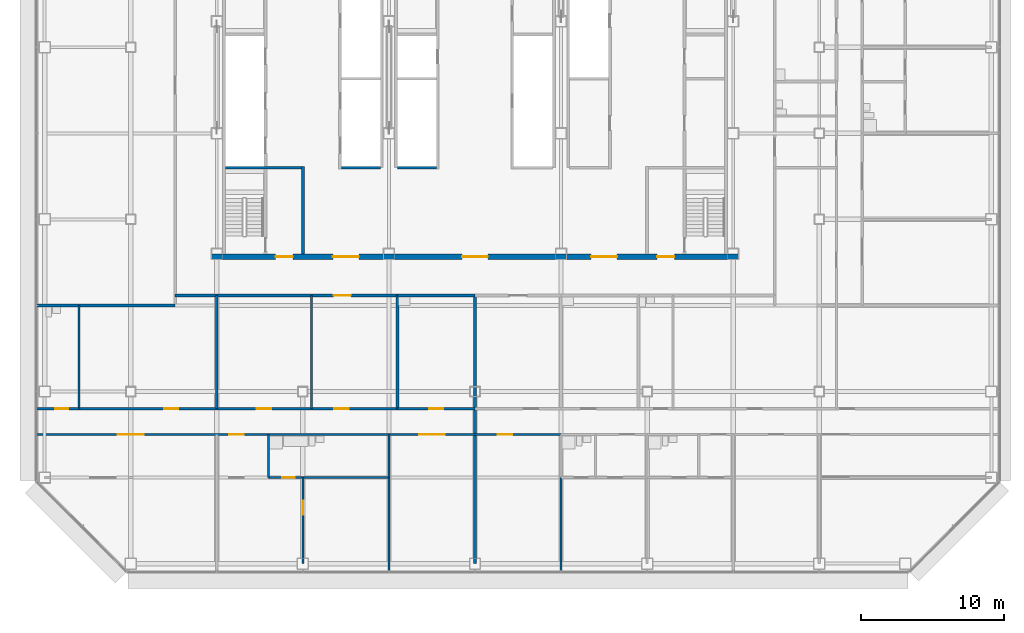
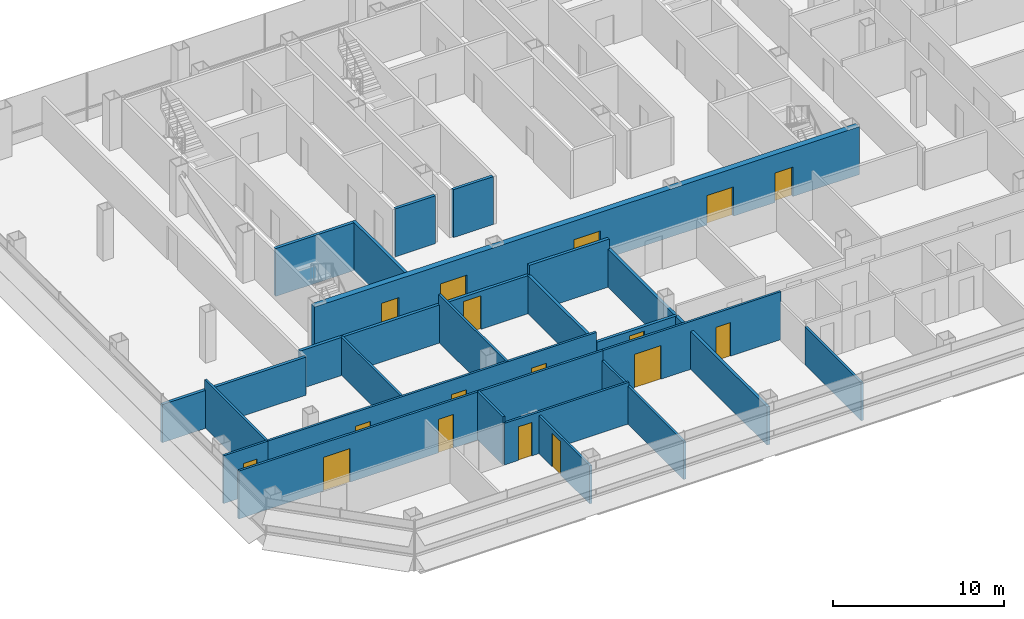
# One storey, part 19 of 25: 26 walls, 17 doors, 17 openings.
"""IFC4 building model written with IfcOpenShell, lengths in metres."""

from ifc_helpers import new_model, si_unit, direction, frame, frame_2d, origin, place, context, subcontext, project, spatial, rectangle, extrude, material, layer, layer_set, type_object, element, fill, save


model = new_model("IFC4")

# Units and contexts
model_context = context("Model", 3, precision=1e-05, world=origin(), true_north=direction((0.0, 1.0)))
body_context = subcontext(model_context, "Body", "Model", "MODEL_VIEW")
ifc_project = project(units=[si_unit("LENGTHUNIT", "METRE"), si_unit("AREAUNIT", "SQUARE_METRE"), si_unit("VOLUMEUNIT", "CUBIC_METRE"), si_unit("PLANEANGLEUNIT", "RADIAN"), si_unit("MASSUNIT", "GRAM", prefix="KILO")], contexts=[model_context])

# Site, building, storey
site_placement = place(None, origin())
site = spatial("IfcSite", under=ifc_project, at=site_placement, CompositionType="ELEMENT")
building_placement = place(site_placement, origin())
building = spatial("IfcBuilding", under=site, at=building_placement, Name="Sorahane Residences", CompositionType="ELEMENT")
storey_placement = place(building_placement, frame((0.0, 0.0, 119.60009765625)))
storey = spatial("IfcBuildingStorey", under=building, at=storey_placement, Name="L26", CompositionType="ELEMENT", Elevation=119.60009765625)

# Wall
ifc_material_1 = material(Name="Concrete blockwork C20 wall", Category="masonry")
ifc_layer_1 = layer(ifc_material_1, 0.199951171875)
ifc_layer_set_1 = layer_set([ifc_layer_1], Name="Corridor wall 200 EI 120")
wall_type_1 = type_object("IfcWallType", Name="Corridor wall 200 EI 120", PredefinedType="SOLIDWALL", material=ifc_layer_set_1)
wall_1_placement = place(storey_placement, frame((-6.60009765625, 18.0, 0.0), z_axis=(0.0, 0.0, 1.0), x_axis=(1.0, 0.0, 0.0)))
element("IfcWall", 1, at=wall_1_placement, inside=storey, type_object=wall_type_1, Name="L26 corridor wall", PredefinedType="SOLIDWALL", context=body_context, shape_type="SweptSolid", body=[
    extrude(rectangle(XDim=9.7001953125, YDim=0.199951171875, at=frame_2d((4.85009765625, 0.0))), origin(), (0.0, 0.0, 1.0), 2.719970703125),
])

# Wall, opening, door
wall_2_placement = place(storey_placement, frame((3.10009765625, 18.699951171875, 0.0), z_axis=(0.0, 0.0, 1.0), x_axis=(1.0, 0.0, 0.0)))
wall_2 = element("IfcWall", 2, at=wall_2_placement, inside=storey, type_object=wall_type_1, Name="L26 corridor wall", PredefinedType="SOLIDWALL", context=body_context, shape_type="SweptSolid", body=[
    extrude(rectangle(XDim=15.5, YDim=0.199951171875, at=frame_2d((7.75, 0.0))), origin(), (0.0, 0.0, 1.0), 2.719970703125),
])
opening_1_placement = place(wall_2_placement, frame((11.0400390625, 0.0, 0.0)))
opening_1 = element("IfcOpeningElement", 3, at=opening_1_placement, cuts=wall_2, Name="Opening L26-40", PredefinedType="OPENING", context=body_context, shape_type="SweptSolid", body=[
    extrude(rectangle(XDim=1.199951171875, YDim=2.39990234375, at=frame_2d((0.60009765625, 1.199951171875))), frame((0.0, 0.10986328125, 0.0), z_axis=(0.0, -1.0, 0.0), x_axis=(1.0, 0.0, 0.0)), (0.0, 0.0, 1.0), 0.219970703125),
])
ifc_material_2 = material(Name="Timber veneered fire door", Category="wood")
door_type_1 = type_object("IfcDoorType", Name="Flat entrance door 1200x2400 FD60", OperationType="NOTDEFINED", PredefinedType="DOOR", material=ifc_material_2)
door_1_placement = place(opening_1_placement, frame((1.199951171875, 0.0, 0.0), z_axis=(0.0, 0.0, 1.0), x_axis=(-1.0, 0.0, 0.0)))
door_1 = element("IfcDoor", 4, at=door_1_placement, inside=storey, type_object=door_type_1, Name="Flat entrance door L26-40", OperationType="SINGLE_SWING_RIGHT", OverallHeight=2.39990234375, OverallWidth=1.199951171875, PredefinedType="DOOR", context=body_context, shape_type="SweptSolid", body=[
    extrude(rectangle(XDim=1.199951171875, YDim=2.39990234375, at=frame_2d((0.60009765625, 1.199951171875))), frame((0.0, 0.02490234375, 0.0), z_axis=(0.0, -1.0, 0.0), x_axis=(1.0, 0.0, 0.0)), (0.0, 0.0, 1.0), 0.050048828125),
])
fill(opening_1, door_1)

# Walls
ifc_material_3 = material(Name="Concrete C30", Category="concrete")
ifc_layer_2 = layer(ifc_material_3, 0.199951171875)
ifc_layer_set_2 = layer_set([ifc_layer_2], Name="Front room wall 200 EI 120")
wall_type_2 = type_object("IfcWallType", Name="Front room wall 200 EI 120", PredefinedType="PARTITIONING", material=ifc_layer_set_2)
wall_3_placement = place(storey_placement, frame((12.0, 21.60009765625, 0.0), z_axis=(0.0, 0.0, 1.0), x_axis=(0.0, 1.0, 0.0)))
element("IfcWall", 5, at=wall_3_placement, inside=storey, type_object=wall_type_2, Name="L26 front room wall", PredefinedType="PARTITIONING", context=body_context, shape_type="SweptSolid", body=[
    extrude(rectangle(XDim=6.099853515625, YDim=0.199951171875, at=frame_2d((3.0498046875, 0.0))), origin(), (0.0, 0.0, 1.0), 3.419921875),
])
ifc_material_4 = material(Name="Concrete blockwork C20 wall", Category="masonry")
ifc_layer_3 = layer(ifc_material_4, 0.199951171875)
ifc_layer_set_3 = layer_set([ifc_layer_3], Name="Kitchen wall 200 EI 180")
wall_type_3 = type_object("IfcWallType", Name="Kitchen wall 200 EI 180", PredefinedType="SOLIDWALL", material=ifc_layer_set_3)
for number, where, z_axis, x_axis, name in (
    (6, (18.60009765625, 10.800048828125, 0.0), (0.0, 0.0, 1.0), (0.0, 1.0, 0.0), "L26 kitchen wall"),
    (7, (24.0, 10.800048828125, 0.0), (0.0, 0.0, 1.0), (0.0, 1.0, 0.0), "L26 kitchen wall"),
):
    element("IfcWall", number, at=place(storey_placement, frame(where, z_axis=z_axis, x_axis=x_axis)), inside=storey, type_object=wall_type_3, Name=name, PredefinedType="SOLIDWALL", context=body_context, shape_type="SweptSolid", body=[
        extrude(rectangle(XDim=7.89990234375, YDim=0.199951171875, at=frame_2d((3.949951171875, 0.0))), origin(), (0.0, 0.0, 1.0), 2.719970703125),
    ])

# Wall, opening, door
wall_4_placement = place(storey_placement, frame((18.60009765625, 10.800048828125, 0.0), z_axis=(0.0, 0.0, 1.0), x_axis=(1.0, 0.0, 0.0)))
wall_4 = element("IfcWall", 8, at=wall_4_placement, inside=storey, type_object=wall_type_3, Name="L26 kitchen wall", PredefinedType="SOLIDWALL", context=body_context, shape_type="SweptSolid", body=[
    extrude(rectangle(XDim=5.39990234375, YDim=0.199951171875, at=frame_2d((2.699951171875, 0.0))), origin(), (0.0, 0.0, 1.0), 2.719970703125),
])
opening_2_placement = place(wall_4_placement, frame((2.199951171875, 0.0, 0.0)))
opening_2 = element("IfcOpeningElement", 9, at=opening_2_placement, cuts=wall_4, Name="Opening L26-05", PredefinedType="OPENING", context=body_context, shape_type="SweptSolid", body=[
    extrude(rectangle(XDim=1.0, YDim=2.39990234375, at=frame_2d((0.5, 1.199951171875))), frame((0.0, 0.10986328125, 0.0), z_axis=(0.0, -1.0, 0.0), x_axis=(1.0, 0.0, 0.0)), (0.0, 0.0, 1.0), 0.219970703125),
])
ifc_material_5 = material(Name="Steel", Category="steel")
door_type_2 = type_object("IfcDoorType", Name="Kitchen door 1000x2400 FD120", OperationType="NOTDEFINED", PredefinedType="DOOR", material=ifc_material_5)
door_2_placement = place(opening_2_placement, origin())
door_2 = element("IfcDoor", 10, at=door_2_placement, inside=storey, type_object=door_type_2, Name="Kitchen door L26-05", OperationType="SINGLE_SWING_LEFT", OverallHeight=2.39990234375, OverallWidth=1.0, PredefinedType="DOOR", context=body_context, shape_type="SweptSolid", body=[
    extrude(rectangle(XDim=1.0, YDim=2.39990234375, at=frame_2d((0.5, 1.199951171875))), frame((0.0, 0.02490234375, 0.0), z_axis=(0.0, -1.0, 0.0), x_axis=(1.0, 0.0, 0.0)), (0.0, 0.0, 1.0), 0.050048828125),
])
fill(opening_2, door_2)

# Walls
wall_5_placement = place(storey_placement, frame((18.60009765625, 18.699951171875, 0.0), z_axis=(0.0, 0.0, 1.0), x_axis=(1.0, 0.0, 0.0)))
element("IfcWall", 11, at=wall_5_placement, inside=storey, type_object=wall_type_3, Name="L26 kitchen wall", PredefinedType="SOLIDWALL", context=body_context, shape_type="SweptSolid", body=[
    extrude(rectangle(XDim=5.39990234375, YDim=0.199951171875, at=frame_2d((2.699951171875, 0.0))), origin(), (0.0, 0.0, 1.0), 3.419921875),
])
ifc_material_6 = material(Name="Concrete C30", Category="concrete")
ifc_layer_4 = layer(ifc_material_6, 0.199951171875)
ifc_layer_set_4 = layer_set([ifc_layer_4], Name="Lift shaft wall 200 EI 120")
wall_type_4 = type_object("IfcWallType", Name="Lift shaft wall 200 EI 120", PredefinedType="SOLIDWALL", material=ifc_layer_set_4)
for number, where, z_axis, x_axis, name in (
    (12, (14.699951171875, 27.60009765625, 0.0), (0.0, 0.0, 1.0), (1.0, 0.0, 0.0), "L26 lift shaft wall"),
    (13, (18.60009765625, 27.60009765625, 0.0), (0.0, 0.0, 1.0), (1.0, 0.0, 0.0), "L26 lift shaft wall"),
):
    element("IfcWall", number, at=place(storey_placement, frame(where, z_axis=z_axis, x_axis=x_axis)), inside=storey, type_object=wall_type_4, Name=name, PredefinedType="SOLIDWALL", context=body_context, shape_type="SweptSolid", body=[
        extrude(rectangle(XDim=2.699951171875, YDim=0.199951171875, at=frame_2d((1.35009765625, 0.0))), origin(), (0.0, 0.0, 1.0), 3.419921875),
    ])

# Wall, opening, door
ifc_material_7 = material(Name="Gypsum board partition on steel studs", Category="steel")
ifc_layer_5 = layer(ifc_material_7, 0.14990234375)
ifc_layer_set_5 = layer_set([ifc_layer_5], Name="Partition 150 EI 90")
wall_type_5 = type_object("IfcWallType", Name="Partition 150 EI 90", PredefinedType="PARTITIONING", material=ifc_layer_set_5)
wall_6_placement = place(storey_placement, frame((12.0, 0.0, 0.0), z_axis=(0.0, 0.0, 1.0), x_axis=(0.0, 1.0, 0.0)))
wall_6 = element("IfcWall", 14, at=wall_6_placement, inside=storey, type_object=wall_type_5, Name="L26 partition", PredefinedType="PARTITIONING", context=body_context, shape_type="SweptSolid", body=[
    extrude(rectangle(XDim=6.0, YDim=0.14990234375, at=frame_2d((3.0, 0.0))), origin(), (0.0, 0.0, 1.0), 2.719970703125),
])
opening_3_placement = place(wall_6_placement, frame((3.39990234375, 0.0, 0.0)))
opening_3 = element("IfcOpeningElement", 15, at=opening_3_placement, cuts=wall_6, Name="Opening L26-11", PredefinedType="OPENING", context=body_context, shape_type="SweptSolid", body=[
    extrude(rectangle(XDim=1.0, YDim=2.39990234375, at=frame_2d((0.5, 1.199951171875))), frame((0.0, 0.0849609375, 0.0), z_axis=(0.0, -1.0, 0.0), x_axis=(1.0, 0.0, 0.0)), (0.0, 0.0, 1.0), 0.169921875),
])
ifc_material_8 = material(Name="Timber veneered fire door", Category="wood")
door_type_3 = type_object("IfcDoorType", Name="Room door 1000x2400 FD30", OperationType="NOTDEFINED", PredefinedType="DOOR", material=ifc_material_8)
door_3_placement = place(opening_3_placement, frame((1.0, 0.0, 0.0), z_axis=(0.0, 0.0, 1.0), x_axis=(-1.0, 0.0, 0.0)))
door_3 = element("IfcDoor", 16, at=door_3_placement, inside=storey, type_object=door_type_3, Name="Room door L26-11", OperationType="SINGLE_SWING_RIGHT", OverallHeight=2.39990234375, OverallWidth=1.0, PredefinedType="DOOR", context=body_context, shape_type="SweptSolid", body=[
    extrude(rectangle(XDim=1.0, YDim=2.39990234375, at=frame_2d((0.5, 1.199951171875))), frame((0.0, 0.02490234375, 0.0), z_axis=(0.0, -1.0, 0.0), x_axis=(1.0, 0.0, 0.0)), (0.0, 0.0, 1.0), 0.050048828125),
])
fill(opening_3, door_3)

# Walls
wall_7_placement = place(storey_placement, frame((12.60009765625, 10.800048828125, 0.0), z_axis=(0.0, 0.0, 1.0), x_axis=(0.0, 1.0, 0.0)))
element("IfcWall", 17, at=wall_7_placement, inside=storey, type_object=wall_type_5, Name="L26 partition", PredefinedType="PARTITIONING", context=body_context, shape_type="SweptSolid", body=[
    extrude(rectangle(XDim=7.89990234375, YDim=0.14990234375, at=frame_2d((3.949951171875, 0.0))), origin(), (0.0, 0.0, 1.0), 3.419921875),
])
for number, where, z_axis, x_axis, name in (
    (18, (18.0, -0.60009765625, 0.0), (0.0, 0.0, 1.0), (0.0, 1.0, 0.0), "L26 partition"),
    (19, (30.0, -0.60009765625, 0.0), (0.0, 0.0, 1.0), (0.0, 1.0, 0.0), "L26 partition"),
):
    element("IfcWall", number, at=place(storey_placement, frame(where, z_axis=z_axis, x_axis=x_axis)), inside=storey, type_object=wall_type_5, Name=name, PredefinedType="PARTITIONING", context=body_context, shape_type="SweptSolid", body=[
        extrude(rectangle(XDim=6.60009765625, YDim=0.14990234375, at=frame_2d((3.300048828125, 0.0))), origin(), (0.0, 0.0, 1.0), 2.719970703125),
    ])
wall_8_placement = place(storey_placement, frame((6.0, 10.800048828125, 0.0), z_axis=(0.0, 0.0, 1.0), x_axis=(0.0, 1.0, 0.0)))
element("IfcWall", 20, at=wall_8_placement, inside=storey, type_object=wall_type_5, Name="L26 partition", PredefinedType="PARTITIONING", context=body_context, shape_type="SweptSolid", body=[
    extrude(rectangle(XDim=7.89990234375, YDim=0.14990234375, at=frame_2d((3.949951171875, 0.0))), origin(), (0.0, 0.0, 1.0), 2.719970703125),
])

# Wall, openings, doors
wall_9_placement = place(storey_placement, frame((-3.60009765625, 10.800048828125, 0.0), z_axis=(0.0, 0.0, 1.0), x_axis=(1.0, 0.0, 0.0)))
wall_9 = element("IfcWall", 21, at=wall_9_placement, inside=storey, type_object=wall_type_5, Name="L26 partition", PredefinedType="PARTITIONING", context=body_context, shape_type="SweptSolid", body=[
    extrude(rectangle(XDim=22.2001953125, YDim=0.14990234375, at=frame_2d((11.10009765625, 0.0))), origin(), (0.0, 0.0, 1.0), 3.419921875),
])
opening_4_placement = place(wall_9_placement, frame((17.800048828125, 0.0, 0.0)))
opening_4 = element("IfcOpeningElement", 22, at=opening_4_placement, cuts=wall_9, Name="Opening L26-01", PredefinedType="OPENING", context=body_context, shape_type="SweptSolid", body=[
    extrude(rectangle(XDim=1.0, YDim=2.39990234375, at=frame_2d((0.5, 1.199951171875))), frame((0.0, 0.0849609375, 0.0), z_axis=(0.0, -1.0, 0.0), x_axis=(1.0, 0.0, 0.0)), (0.0, 0.0, 1.0), 0.169921875),
])
opening_5_placement = place(wall_9_placement, frame((5.919921875, 0.0, 0.0)))
opening_5 = element("IfcOpeningElement", 23, at=opening_5_placement, cuts=wall_9, Name="Opening L26-03", PredefinedType="OPENING", context=body_context, shape_type="SweptSolid", body=[
    extrude(rectangle(XDim=1.0, YDim=2.39990234375, at=frame_2d((0.5, 1.199951171875))), frame((0.0, 0.0849609375, 0.0), z_axis=(0.0, -1.0, 0.0), x_axis=(1.0, 0.0, 0.0)), (0.0, 0.0, 1.0), 0.169921875),
])
opening_6_placement = place(wall_9_placement, frame((12.39990234375, 0.0, 0.0)))
opening_6 = element("IfcOpeningElement", 24, at=opening_6_placement, cuts=wall_9, Name="Opening L26-04", PredefinedType="OPENING", context=body_context, shape_type="SweptSolid", body=[
    extrude(rectangle(XDim=1.0, YDim=2.39990234375, at=frame_2d((0.5, 1.199951171875))), frame((0.0, 0.0849609375, 0.0), z_axis=(0.0, -1.0, 0.0), x_axis=(1.0, 0.0, 0.0)), (0.0, 0.0, 1.0), 0.169921875),
])
door_4_placement = place(opening_4_placement, frame((1.0, 0.0, 0.0), z_axis=(0.0, 0.0, 1.0), x_axis=(-1.0, 0.0, 0.0)))
door_4 = element("IfcDoor", 25, at=door_4_placement, inside=storey, type_object=door_type_3, Name="Room door L26-01", OperationType="SINGLE_SWING_LEFT", OverallHeight=2.39990234375, OverallWidth=1.0, PredefinedType="DOOR", context=body_context, shape_type="SweptSolid", body=[
    extrude(rectangle(XDim=1.0, YDim=2.39990234375, at=frame_2d((0.5, 1.199951171875))), frame((0.0, 0.02490234375, 0.0), z_axis=(0.0, -1.0, 0.0), x_axis=(1.0, 0.0, 0.0)), (0.0, 0.0, 1.0), 0.050048828125),
])
fill(opening_4, door_4)
door_5_placement = place(opening_5_placement, origin())
door_5 = element("IfcDoor", 26, at=door_5_placement, inside=storey, type_object=door_type_3, Name="Room door L26-03", OperationType="SINGLE_SWING_LEFT", OverallHeight=2.39990234375, OverallWidth=1.0, PredefinedType="DOOR", context=body_context, shape_type="SweptSolid", body=[
    extrude(rectangle(XDim=1.0, YDim=2.39990234375, at=frame_2d((0.5, 1.199951171875))), frame((0.0, 0.02490234375, 0.0), z_axis=(0.0, -1.0, 0.0), x_axis=(1.0, 0.0, 0.0)), (0.0, 0.0, 1.0), 0.050048828125),
])
fill(opening_5, door_5)
door_6_placement = place(opening_6_placement, origin())
door_6 = element("IfcDoor", 27, at=door_6_placement, inside=storey, type_object=door_type_3, Name="Room door L26-04", OperationType="SINGLE_SWING_LEFT", OverallHeight=2.39990234375, OverallWidth=1.0, PredefinedType="DOOR", context=body_context, shape_type="SweptSolid", body=[
    extrude(rectangle(XDim=1.0, YDim=2.39990234375, at=frame_2d((0.5, 1.199951171875))), frame((0.0, 0.02490234375, 0.0), z_axis=(0.0, -1.0, 0.0), x_axis=(1.0, 0.0, 0.0)), (0.0, 0.0, 1.0), 0.050048828125),
])
fill(opening_6, door_6)

wall_10_placement = place(storey_placement, frame((-6.60009765625, 9.0, 0.0), z_axis=(0.0, 0.0, 1.0), x_axis=(1.0, 0.0, 0.0)))
wall_10 = element("IfcWall", 28, at=wall_10_placement, inside=storey, type_object=wall_type_5, Name="L26 partition", PredefinedType="PARTITIONING", context=body_context, shape_type="SweptSolid", body=[
    extrude(rectangle(XDim=16.2001953125, YDim=0.14990234375, at=frame_2d((8.10009765625, 0.0))), origin(), (0.0, 0.0, 1.0), 3.419921875),
])
opening_7_placement = place(wall_10_placement, frame((5.699951171875, 0.0, 0.0)))
opening_7 = element("IfcOpeningElement", 29, at=opening_7_placement, cuts=wall_10, Name="Opening L26-06", PredefinedType="OPENING", context=body_context, shape_type="SweptSolid", body=[
    extrude(rectangle(XDim=1.800048828125, YDim=2.39990234375, at=frame_2d((0.89990234375, 1.199951171875))), frame((0.0, 0.0849609375, 0.0), z_axis=(0.0, -1.0, 0.0), x_axis=(1.0, 0.0, 0.0)), (0.0, 0.0, 1.0), 0.169921875),
])
opening_8_placement = place(wall_10_placement, frame((13.47998046875, 0.0, 0.0)))
opening_8 = element("IfcOpeningElement", 30, at=opening_8_placement, cuts=wall_10, Name="Opening L26-07", PredefinedType="OPENING", context=body_context, shape_type="SweptSolid", body=[
    extrude(rectangle(XDim=1.0, YDim=2.39990234375, at=frame_2d((0.5, 1.199951171875))), frame((0.0, 0.0849609375, 0.0), z_axis=(0.0, -1.0, 0.0), x_axis=(1.0, 0.0, 0.0)), (0.0, 0.0, 1.0), 0.169921875),
])
ifc_material_9 = material(Name="Timber veneered fire door", Category="wood")
door_type_4 = type_object("IfcDoorType", Name="Double door 1800x2400 FD30", OperationType="NOTDEFINED", PredefinedType="DOOR", material=ifc_material_9)
door_7_placement = place(opening_7_placement, frame((1.800048828125, 0.0, 0.0), z_axis=(0.0, 0.0, 1.0), x_axis=(-1.0, 0.0, 0.0)))
door_7 = element("IfcDoor", 31, at=door_7_placement, inside=storey, type_object=door_type_4, Name="Double door L26-06", OperationType="SINGLE_SWING_LEFT", OverallHeight=2.39990234375, OverallWidth=1.800048828125, PredefinedType="DOOR", context=body_context, shape_type="SweptSolid", body=[
    extrude(rectangle(XDim=1.800048828125, YDim=2.39990234375, at=frame_2d((0.89990234375, 1.199951171875))), frame((0.0, 0.02490234375, 0.0), z_axis=(0.0, -1.0, 0.0), x_axis=(1.0, 0.0, 0.0)), (0.0, 0.0, 1.0), 0.050048828125),
])
fill(opening_7, door_7)
door_8_placement = place(opening_8_placement, frame((1.0, 0.0, 0.0), z_axis=(0.0, 0.0, 1.0), x_axis=(-1.0, 0.0, 0.0)))
door_8 = element("IfcDoor", 32, at=door_8_placement, inside=storey, type_object=door_type_3, Name="Room door L26-07", OperationType="SINGLE_SWING_RIGHT", OverallHeight=2.39990234375, OverallWidth=1.0, PredefinedType="DOOR", context=body_context, shape_type="SweptSolid", body=[
    extrude(rectangle(XDim=1.0, YDim=2.39990234375, at=frame_2d((0.5, 1.199951171875))), frame((0.0, 0.02490234375, 0.0), z_axis=(0.0, -1.0, 0.0), x_axis=(1.0, 0.0, 0.0)), (0.0, 0.0, 1.0), 0.050048828125),
])
fill(opening_8, door_8)

wall_11_placement = place(storey_placement, frame((18.0, 9.0, 0.0), z_axis=(0.0, 0.0, 1.0), x_axis=(1.0, 0.0, 0.0)))
wall_11 = element("IfcWall", 33, at=wall_11_placement, inside=storey, type_object=wall_type_5, Name="L26 partition", PredefinedType="PARTITIONING", context=body_context, shape_type="SweptSolid", body=[
    extrude(rectangle(XDim=12.0, YDim=0.14990234375, at=frame_2d((6.0, 0.0))), origin(), (0.0, 0.0, 1.0), 3.419921875),
])
opening_9_placement = place(wall_11_placement, frame((2.10009765625, 0.0, 0.0)))
opening_9 = element("IfcOpeningElement", 34, at=opening_9_placement, cuts=wall_11, Name="Opening L26-08", PredefinedType="OPENING", context=body_context, shape_type="SweptSolid", body=[
    extrude(rectangle(XDim=1.800048828125, YDim=2.39990234375, at=frame_2d((0.89990234375, 1.199951171875))), frame((0.0, 0.0849609375, 0.0), z_axis=(0.0, -1.0, 0.0), x_axis=(1.0, 0.0, 0.0)), (0.0, 0.0, 1.0), 0.169921875),
])
opening_10_placement = place(wall_11_placement, frame((7.60009765625, 0.0, 0.0)))
opening_10 = element("IfcOpeningElement", 35, at=opening_10_placement, cuts=wall_11, Name="Opening L26-18", PredefinedType="OPENING", context=body_context, shape_type="SweptSolid", body=[
    extrude(rectangle(XDim=1.0, YDim=2.39990234375, at=frame_2d((0.5, 1.199951171875))), frame((0.0, 0.0849609375, 0.0), z_axis=(0.0, -1.0, 0.0), x_axis=(1.0, 0.0, 0.0)), (0.0, 0.0, 1.0), 0.169921875),
])
door_9_placement = place(opening_9_placement, frame((1.800048828125, 0.0, 0.0), z_axis=(0.0, 0.0, 1.0), x_axis=(-1.0, 0.0, 0.0)))
door_9 = element("IfcDoor", 36, at=door_9_placement, inside=storey, type_object=door_type_4, Name="Double door L26-08", OperationType="SINGLE_SWING_RIGHT", OverallHeight=2.39990234375, OverallWidth=1.800048828125, PredefinedType="DOOR", context=body_context, shape_type="SweptSolid", body=[
    extrude(rectangle(XDim=1.800048828125, YDim=2.39990234375, at=frame_2d((0.89990234375, 1.199951171875))), frame((0.0, 0.02490234375, 0.0), z_axis=(0.0, -1.0, 0.0), x_axis=(1.0, 0.0, 0.0)), (0.0, 0.0, 1.0), 0.050048828125),
])
fill(opening_9, door_9)
door_10_placement = place(opening_10_placement, frame((1.0, 0.0, 0.0), z_axis=(0.0, 0.0, 1.0), x_axis=(-1.0, 0.0, 0.0)))
door_10 = element("IfcDoor", 37, at=door_10_placement, inside=storey, type_object=door_type_3, Name="Room door L26-18", OperationType="SINGLE_SWING_RIGHT", OverallHeight=2.39990234375, OverallWidth=1.0, PredefinedType="DOOR", context=body_context, shape_type="SweptSolid", body=[
    extrude(rectangle(XDim=1.0, YDim=2.39990234375, at=frame_2d((0.5, 1.199951171875))), frame((0.0, 0.02490234375, 0.0), z_axis=(0.0, -1.0, 0.0), x_axis=(1.0, 0.0, 0.0)), (0.0, 0.0, 1.0), 0.050048828125),
])
fill(opening_10, door_10)

# Walls
ifc_material_10 = material(Name="Concrete blockwork C20 wall", Category="masonry")
ifc_layer_6 = layer(ifc_material_10, 0.199951171875)
ifc_layer_set_6 = layer_set([ifc_layer_6], Name="Party wall 200 EI 120")
wall_type_6 = type_object("IfcWallType", Name="Party wall 200 EI 120", PredefinedType="SOLIDWALL", material=ifc_layer_set_6)
wall_12_placement = place(storey_placement, frame((24.0, 0.0, 0.0), z_axis=(0.0, 0.0, 1.0), x_axis=(0.0, 1.0, 0.0)))
element("IfcWall", 38, at=wall_12_placement, inside=storey, type_object=wall_type_6, Name="L26 party wall", PredefinedType="SOLIDWALL", context=body_context, shape_type="SweptSolid", body=[
    extrude(rectangle(XDim=10.800048828125, YDim=0.199951171875, at=frame_2d((5.39990234375, 0.0))), origin(), (0.0, 0.0, 1.0), 2.719970703125),
])
ifc_material_11 = material(Name="Concrete C30", Category="concrete")
ifc_layer_7 = layer(ifc_material_11, 0.199951171875)
ifc_layer_set_7 = layer_set([ifc_layer_7], Name="Stair enclosure wall 200 EI 120")
wall_type_7 = type_object("IfcWallType", Name="Stair enclosure wall 200 EI 120", PredefinedType="SOLIDWALL", material=ifc_layer_set_7)
wall_13_placement = place(storey_placement, frame((6.60009765625, 27.60009765625, 0.0), z_axis=(0.0, 0.0, 1.0), x_axis=(1.0, 0.0, 0.0)))
element("IfcWall", 39, at=wall_13_placement, inside=storey, type_object=wall_type_7, Name="L26 stair enclosure wall", PredefinedType="SOLIDWALL", context=body_context, shape_type="SweptSolid", body=[
    extrude(rectangle(XDim=5.2998046875, YDim=0.199951171875, at=frame_2d((2.64990234375, 0.0))), origin(), (0.0, 0.0, 1.0), 3.419921875),
])

# Wall, openings, doors
ifc_material_12 = material(Name="Concrete C30", Category="concrete")
ifc_layer_8 = layer(ifc_material_12, 0.39990234375)
ifc_layer_set_8 = layer_set([ifc_layer_8], Name="Waiting hall wall 400 EI 120")
wall_type_8 = type_object("IfcWallType", Name="Waiting hall wall 400 EI 120", PredefinedType="SOLIDWALL", material=ifc_layer_set_8)
wall_14_placement = place(storey_placement, frame((5.60009765625, 21.39990234375, 0.0), z_axis=(0.0, 0.0, 1.0), x_axis=(1.0, 0.0, 0.0)))
wall_14 = element("IfcWall", 40, at=wall_14_placement, inside=storey, type_object=wall_type_8, Name="L26 waiting hall wall", PredefinedType="SOLIDWALL", context=body_context, shape_type="SweptSolid", body=[
    extrude(rectangle(XDim=36.7998046875, YDim=0.39990234375, at=frame_2d((18.39990234375, 0.0))), origin(), (0.0, 0.0, 1.0), 3.419921875),
])
opening_11_placement = place(wall_14_placement, frame((8.5, 0.0, 0.0)))
opening_11 = element("IfcOpeningElement", 41, at=opening_11_placement, cuts=wall_14, Name="Opening L26-C01", PredefinedType="OPENING", context=body_context, shape_type="SweptSolid", body=[
    extrude(rectangle(XDim=1.800048828125, YDim=2.10009765625, at=frame_2d((0.89990234375, 1.050048828125))), frame((0.0, 0.2099609375, 0.0), z_axis=(0.0, -1.0, 0.0), x_axis=(1.0, 0.0, 0.0)), (0.0, 0.0, 1.0), 0.419921875),
])
opening_12_placement = place(wall_14_placement, frame((17.5, 0.0, 0.0)))
opening_12 = element("IfcOpeningElement", 42, at=opening_12_placement, cuts=wall_14, Name="Opening L26-C02", PredefinedType="OPENING", context=body_context, shape_type="SweptSolid", body=[
    extrude(rectangle(XDim=1.800048828125, YDim=2.10009765625, at=frame_2d((0.89990234375, 1.050048828125))), frame((0.0, 0.2099609375, 0.0), z_axis=(0.0, -1.0, 0.0), x_axis=(1.0, 0.0, 0.0)), (0.0, 0.0, 1.0), 0.419921875),
])
opening_13_placement = place(wall_14_placement, frame((26.5, 0.0, 0.0)))
opening_13 = element("IfcOpeningElement", 43, at=opening_13_placement, cuts=wall_14, Name="Opening L26-C03", PredefinedType="OPENING", context=body_context, shape_type="SweptSolid", body=[
    extrude(rectangle(XDim=1.800048828125, YDim=2.10009765625, at=frame_2d((0.89990234375, 1.050048828125))), frame((0.0, 0.2099609375, 0.0), z_axis=(0.0, -1.0, 0.0), x_axis=(1.0, 0.0, 0.0)), (0.0, 0.0, 1.0), 0.419921875),
])
opening_14_placement = place(wall_14_placement, frame((4.5, 0.0, 0.0)))
opening_14 = element("IfcOpeningElement", 44, at=opening_14_placement, cuts=wall_14, Name="Opening L26-C04", PredefinedType="OPENING", context=body_context, shape_type="SweptSolid", body=[
    extrude(rectangle(XDim=1.199951171875, YDim=2.10009765625, at=frame_2d((0.60009765625, 1.050048828125))), frame((0.0, 0.2099609375, 0.0), z_axis=(0.0, -1.0, 0.0), x_axis=(1.0, 0.0, 0.0)), (0.0, 0.0, 1.0), 0.419921875),
])
opening_15_placement = place(wall_14_placement, frame((31.10009765625, 0.0, 0.0)))
opening_15 = element("IfcOpeningElement", 45, at=opening_15_placement, cuts=wall_14, Name="Opening L26-C05", PredefinedType="OPENING", context=body_context, shape_type="SweptSolid", body=[
    extrude(rectangle(XDim=1.199951171875, YDim=2.10009765625, at=frame_2d((0.60009765625, 1.050048828125))), frame((0.0, 0.2099609375, 0.0), z_axis=(0.0, -1.0, 0.0), x_axis=(1.0, 0.0, 0.0)), (0.0, 0.0, 1.0), 0.419921875),
])
ifc_material_13 = material(Name="Steel", Category="steel")
door_type_5 = type_object("IfcDoorType", Name="Stair front room door 1200x2100 FD120", OperationType="NOTDEFINED", PredefinedType="DOOR", material=ifc_material_13)
door_11_placement = place(opening_14_placement, frame((1.199951171875, 0.0, 0.0), z_axis=(0.0, 0.0, 1.0), x_axis=(-1.0, 0.0, 0.0)))
door_11 = element("IfcDoor", 46, at=door_11_placement, inside=storey, type_object=door_type_5, Name="Stair front room door Stair S4 front room L26", OperationType="SINGLE_SWING_LEFT", OverallHeight=2.10009765625, OverallWidth=1.199951171875, PredefinedType="DOOR", context=body_context, shape_type="SweptSolid", body=[
    extrude(rectangle(XDim=1.199951171875, YDim=2.10009765625, at=frame_2d((0.60009765625, 1.050048828125))), frame((0.0, 0.02490234375, 0.0), z_axis=(0.0, -1.0, 0.0), x_axis=(1.0, 0.0, 0.0)), (0.0, 0.0, 1.0), 0.050048828125),
])
fill(opening_14, door_11)
door_12_placement = place(opening_15_placement, frame((1.199951171875, 0.0, 0.0), z_axis=(0.0, 0.0, 1.0), x_axis=(-1.0, 0.0, 0.0)))
door_12 = element("IfcDoor", 47, at=door_12_placement, inside=storey, type_object=door_type_5, Name="Stair front room door Stair S5 front room L26", OperationType="SINGLE_SWING_LEFT", OverallHeight=2.10009765625, OverallWidth=1.199951171875, PredefinedType="DOOR", context=body_context, shape_type="SweptSolid", body=[
    extrude(rectangle(XDim=1.199951171875, YDim=2.10009765625, at=frame_2d((0.60009765625, 1.050048828125))), frame((0.0, 0.02490234375, 0.0), z_axis=(0.0, -1.0, 0.0), x_axis=(1.0, 0.0, 0.0)), (0.0, 0.0, 1.0), 0.050048828125),
])
fill(opening_15, door_12)
ifc_material_14 = material(Name="Steel", Category="steel")
door_type_6 = type_object("IfcDoorType", Name="Waiting hall door 1800x2100 FD60", OperationType="NOTDEFINED", PredefinedType="DOOR", material=ifc_material_14)
door_13_placement = place(opening_11_placement, frame((1.800048828125, 0.0, 0.0), z_axis=(0.0, 0.0, 1.0), x_axis=(-1.0, 0.0, 0.0)))
door_13 = element("IfcDoor", 48, at=door_13_placement, inside=storey, type_object=door_type_6, Name="Waiting hall door Residents' waiting hall L26", OperationType="SINGLE_SWING_LEFT", OverallHeight=2.10009765625, OverallWidth=1.800048828125, PredefinedType="DOOR", context=body_context, shape_type="SweptSolid", body=[
    extrude(rectangle(XDim=1.800048828125, YDim=2.10009765625, at=frame_2d((0.89990234375, 1.050048828125))), frame((0.0, 0.02490234375, 0.0), z_axis=(0.0, -1.0, 0.0), x_axis=(1.0, 0.0, 0.0)), (0.0, 0.0, 1.0), 0.050048828125),
])
fill(opening_11, door_13)
door_14_placement = place(opening_12_placement, frame((1.800048828125, 0.0, 0.0), z_axis=(0.0, 0.0, 1.0), x_axis=(-1.0, 0.0, 0.0)))
door_14 = element("IfcDoor", 49, at=door_14_placement, inside=storey, type_object=door_type_6, Name="Waiting hall door Residents' waiting hall L26", OperationType="SINGLE_SWING_LEFT", OverallHeight=2.10009765625, OverallWidth=1.800048828125, PredefinedType="DOOR", context=body_context, shape_type="SweptSolid", body=[
    extrude(rectangle(XDim=1.800048828125, YDim=2.10009765625, at=frame_2d((0.89990234375, 1.050048828125))), frame((0.0, 0.02490234375, 0.0), z_axis=(0.0, -1.0, 0.0), x_axis=(1.0, 0.0, 0.0)), (0.0, 0.0, 1.0), 0.050048828125),
])
fill(opening_12, door_14)
door_15_placement = place(opening_13_placement, frame((1.800048828125, 0.0, 0.0), z_axis=(0.0, 0.0, 1.0), x_axis=(-1.0, 0.0, 0.0)))
door_15 = element("IfcDoor", 50, at=door_15_placement, inside=storey, type_object=door_type_6, Name="Waiting hall door Residents' waiting hall L26", OperationType="SINGLE_SWING_LEFT", OverallHeight=2.10009765625, OverallWidth=1.800048828125, PredefinedType="DOOR", context=body_context, shape_type="SweptSolid", body=[
    extrude(rectangle(XDim=1.800048828125, YDim=2.10009765625, at=frame_2d((0.89990234375, 1.050048828125))), frame((0.0, 0.02490234375, 0.0), z_axis=(0.0, -1.0, 0.0), x_axis=(1.0, 0.0, 0.0)), (0.0, 0.0, 1.0), 0.050048828125),
])
fill(opening_13, door_15)

# Walls
ifc_material_15 = material(Name="Gypsum board partition on steel studs", Category="steel")
ifc_layer_9 = layer(ifc_material_15, 0.14990234375)
ifc_layer_set_9 = layer_set([ifc_layer_9], Name="Wet wall 150 EI 90")
wall_type_9 = type_object("IfcWallType", Name="Wet wall 150 EI 90", PredefinedType="PARTITIONING", material=ifc_layer_set_9)
wall_15_placement = place(storey_placement, frame((-3.60009765625, 10.800048828125, 0.0), z_axis=(0.0, 0.0, 1.0), x_axis=(0.0, 1.0, 0.0)))
element("IfcWall", 51, at=wall_15_placement, inside=storey, type_object=wall_type_9, Name="L26 wet wall", PredefinedType="PARTITIONING", context=body_context, shape_type="SweptSolid", body=[
    extrude(rectangle(XDim=7.199951171875, YDim=0.14990234375, at=frame_2d((3.60009765625, 0.0))), origin(), (0.0, 0.0, 1.0), 3.419921875),
])
wall_16_placement = place(storey_placement, frame((18.0, 6.0, 0.0), z_axis=(0.0, 0.0, 1.0), x_axis=(0.0, 1.0, 0.0)))
element("IfcWall", 52, at=wall_16_placement, inside=storey, type_object=wall_type_9, Name="L26 wet wall", PredefinedType="PARTITIONING", context=body_context, shape_type="SweptSolid", body=[
    extrude(rectangle(XDim=3.0, YDim=0.14990234375, at=frame_2d((1.5, 0.0))), origin(), (0.0, 0.0, 1.0), 2.719970703125),
])
wall_17_placement = place(storey_placement, frame((9.60009765625, 6.0, 0.0), z_axis=(0.0, 0.0, 1.0), x_axis=(0.0, 1.0, 0.0)))
element("IfcWall", 53, at=wall_17_placement, inside=storey, type_object=wall_type_9, Name="L26 wet wall", PredefinedType="PARTITIONING", context=body_context, shape_type="SweptSolid", body=[
    extrude(rectangle(XDim=3.0, YDim=0.14990234375, at=frame_2d((1.5, 0.0))), origin(), (0.0, 0.0, 1.0), 3.419921875),
])

# Wall, opening, door
wall_18_placement = place(storey_placement, frame((-6.60009765625, 10.800048828125, 0.0), z_axis=(0.0, 0.0, 1.0), x_axis=(1.0, 0.0, 0.0)))
wall_18 = element("IfcWall", 54, at=wall_18_placement, inside=storey, type_object=wall_type_9, Name="L26 wet wall", PredefinedType="PARTITIONING", context=body_context, shape_type="SweptSolid", body=[
    extrude(rectangle(XDim=3.0, YDim=0.14990234375, at=frame_2d((1.5, 0.0))), origin(), (0.0, 0.0, 1.0), 3.419921875),
])
opening_16_placement = place(wall_18_placement, frame((1.35009765625, 0.0, 0.0)))
opening_16 = element("IfcOpeningElement", 55, at=opening_16_placement, cuts=wall_18, Name="Opening L26-02", PredefinedType="OPENING", context=body_context, shape_type="SweptSolid", body=[
    extrude(rectangle(XDim=0.89990234375, YDim=2.39990234375, at=frame_2d((0.449951171875, 1.199951171875))), frame((0.0, 0.0849609375, 0.0), z_axis=(0.0, -1.0, 0.0), x_axis=(1.0, 0.0, 0.0)), (0.0, 0.0, 1.0), 0.169921875),
])
ifc_material_16 = material(Name="Timber veneered fire door", Category="wood")
door_type_7 = type_object("IfcDoorType", Name="Bathroom door 900x2400 FD30", OperationType="NOTDEFINED", PredefinedType="DOOR", material=ifc_material_16)
door_16_placement = place(opening_16_placement, frame((0.89990234375, 0.0, 0.0), z_axis=(0.0, 0.0, 1.0), x_axis=(-1.0, 0.0, 0.0)))
door_16 = element("IfcDoor", 56, at=door_16_placement, inside=storey, type_object=door_type_7, Name="Bathroom door L26-02", OperationType="SINGLE_SWING_RIGHT", OverallHeight=2.39990234375, OverallWidth=0.89990234375, PredefinedType="DOOR", context=body_context, shape_type="SweptSolid", body=[
    extrude(rectangle(XDim=0.89990234375, YDim=2.39990234375, at=frame_2d((0.449951171875, 1.199951171875))), frame((0.0, 0.02490234375, 0.0), z_axis=(0.0, -1.0, 0.0), x_axis=(1.0, 0.0, 0.0)), (0.0, 0.0, 1.0), 0.050048828125),
])
fill(opening_16, door_16)

wall_19_placement = place(storey_placement, frame((9.60009765625, 6.0, 0.0), z_axis=(0.0, 0.0, 1.0), x_axis=(1.0, 0.0, 0.0)))
wall_19 = element("IfcWall", 57, at=wall_19_placement, inside=storey, type_object=wall_type_9, Name="L26 wet wall", PredefinedType="PARTITIONING", context=body_context, shape_type="SweptSolid", body=[
    extrude(rectangle(XDim=8.39990234375, YDim=0.14990234375, at=frame_2d((4.199951171875, 0.0))), origin(), (0.0, 0.0, 1.0), 2.969970703125),
])
opening_17_placement = place(wall_19_placement, frame((0.949951171875, 0.0, 0.0)))
opening_17 = element("IfcOpeningElement", 58, at=opening_17_placement, cuts=wall_19, Name="Opening L26-12", PredefinedType="OPENING", context=body_context, shape_type="SweptSolid", body=[
    extrude(rectangle(XDim=0.89990234375, YDim=2.39990234375, at=frame_2d((0.449951171875, 1.199951171875))), frame((0.0, 0.0849609375, 0.0), z_axis=(0.0, -1.0, 0.0), x_axis=(1.0, 0.0, 0.0)), (0.0, 0.0, 1.0), 0.169921875),
])
door_17_placement = place(opening_17_placement, frame((0.89990234375, 0.0, 0.0), z_axis=(0.0, 0.0, 1.0), x_axis=(-1.0, 0.0, 0.0)))
door_17 = element("IfcDoor", 59, at=door_17_placement, inside=storey, type_object=door_type_7, Name="Bathroom door L26-12", OperationType="SINGLE_SWING_RIGHT", OverallHeight=2.39990234375, OverallWidth=0.89990234375, PredefinedType="DOOR", context=body_context, shape_type="SweptSolid", body=[
    extrude(rectangle(XDim=0.89990234375, YDim=2.39990234375, at=frame_2d((0.449951171875, 1.199951171875))), frame((0.0, 0.02490234375, 0.0), z_axis=(0.0, -1.0, 0.0), x_axis=(1.0, 0.0, 0.0)), (0.0, 0.0, 1.0), 0.050048828125),
])
fill(opening_17, door_17)

# Wall
wall_20_placement = place(storey_placement, frame((9.60009765625, 9.0, 0.0), z_axis=(0.0, 0.0, 1.0), x_axis=(1.0, 0.0, 0.0)))
element("IfcWall", 60, at=wall_20_placement, inside=storey, type_object=wall_type_9, Name="L26 wet wall", PredefinedType="PARTITIONING", context=body_context, shape_type="SweptSolid", body=[
    extrude(rectangle(XDim=8.39990234375, YDim=0.14990234375, at=frame_2d((4.199951171875, 0.0))), origin(), (0.0, 0.0, 1.0), 3.419921875),
])

save(model, "model.ifc")
